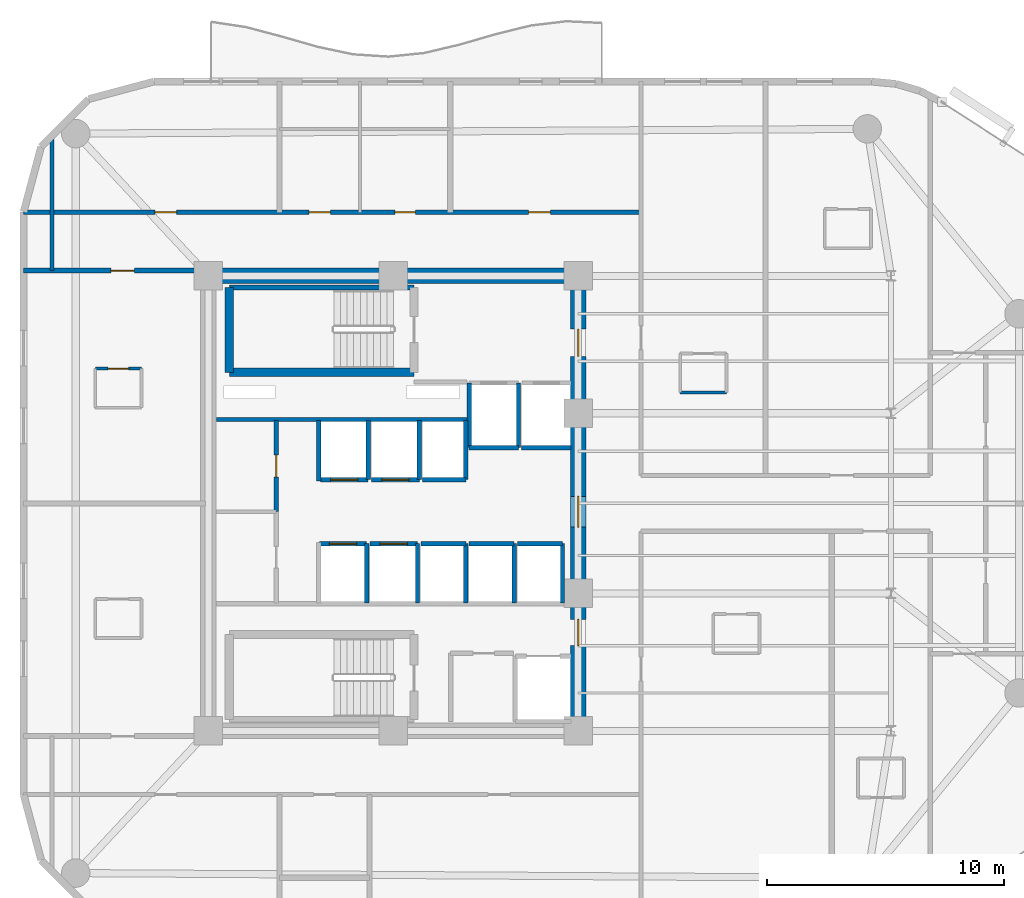
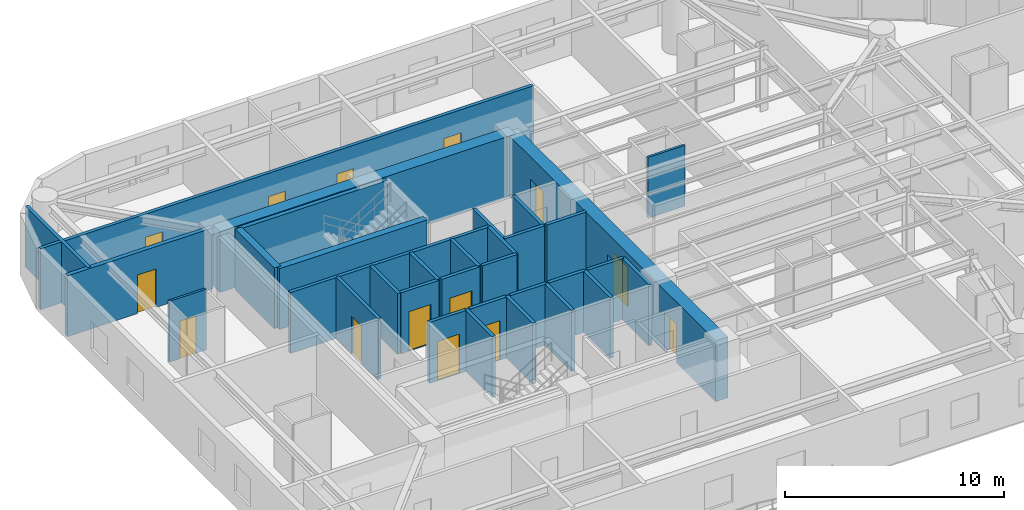
# One storey, part 12 of 16: 33 walls, 14 doors, 14 openings.
"""IFC4 building model written with IfcOpenShell, lengths in metres."""

from ifc_helpers import new_model, si_unit, direction, frame, frame_2d, origin, place, context, subcontext, project, spatial, rectangle, extrude, material, layer, layer_set, type_object, element, fill, save


model = new_model("IFC4")

# Units and contexts
model_context = context("Model", 3, precision=1e-05, world=origin(), true_north=direction((0.0, 1.0)))
body_context = subcontext(model_context, "Body", "Model", "MODEL_VIEW")
ifc_project = project(units=[si_unit("LENGTHUNIT", "METRE"), si_unit("AREAUNIT", "SQUARE_METRE"), si_unit("VOLUMEUNIT", "CUBIC_METRE"), si_unit("PLANEANGLEUNIT", "RADIAN"), si_unit("MASSUNIT", "GRAM", prefix="KILO")], contexts=[model_context])

# Site, building, storey
site_placement = place(None, origin())
site = spatial("IfcSite", under=ifc_project, at=site_placement, CompositionType="ELEMENT")
building_placement = place(site_placement, origin())
building = spatial("IfcBuilding", under=site, at=building_placement, Name="An Khanh Terracotta Commons", CompositionType="ELEMENT")
storey_placement = place(building_placement, frame((0.0, 0.0, 151.0)))
storey = spatial("IfcBuildingStorey", under=building, at=storey_placement, Name="L39", CompositionType="ELEMENT", Elevation=151.0)

# Wall
ifc_material_1 = material(Name="Concrete C60/75", Category="concrete")
ifc_layer_1 = layer(ifc_material_1, 0.64990234375, Name="Concrete C60/75")
ifc_layer_set_1 = layer_set([ifc_layer_1], Name="Concrete C60/75")
wall_type_1 = type_object("IfcWallType", Name="WALL-CORE-650", PredefinedType="SHEAR", material=ifc_layer_set_1)
wall_1_placement = place(storey_placement, frame((21.60009765625, 33.60009765625, 0.0), z_axis=(0.0, 0.0, 1.0), x_axis=(1.0, 0.0, 0.0)))
element("IfcWall", 1, at=wall_1_placement, inside=storey, type_object=wall_type_1, Name="L39 Core Wall CWALL-L39-N", PredefinedType="SHEAR", context=body_context, shape_type="SweptSolid", body=[
    extrude(rectangle(XDim=15.599853515625, YDim=0.64990234375, at=frame_2d((7.7998046875, 0.0))), origin(), (0.0, 0.0, 1.0), 3.39990234375),
])

# Wall, openings, doors
wall_2_placement = place(storey_placement, frame((37.199951171875, 14.39990234375, 0.0), z_axis=(0.0, 0.0, 1.0), x_axis=(0.0, 1.0, 0.0)))
wall_2 = element("IfcWall", 2, at=wall_2_placement, inside=storey, type_object=wall_type_1, Name="L39 Core Wall CWALL-L39-E", PredefinedType="SHEAR", context=body_context, shape_type="SweptSolid", body=[
    extrude(rectangle(XDim=19.2001953125, YDim=0.64990234375, at=frame_2d((9.60009765625, 0.0))), origin(), (0.0, 0.0, 1.0), 3.39990234375),
])
opening_1_placement = place(wall_2_placement, frame((15.800048828125, 0.0, 0.0)))
opening_1 = element("IfcOpeningElement", 3, at=opening_1_placement, cuts=wall_2, Name="Opening D-FFL", PredefinedType="OPENING", context=body_context, shape_type="SweptSolid", body=[
    extrude(rectangle(XDim=1.14990234375, YDim=2.14990234375, at=frame_2d((0.574951171875, 1.074951171875))), frame((0.0, 0.3349609375, 0.0), z_axis=(0.0, -1.0, 0.0), x_axis=(1.0, 0.0, 0.0)), (0.0, 0.0, 1.0), 0.669921875),
])
opening_2_placement = place(wall_2_placement, frame((3.60009765625, 0.0, 0.0)))
opening_2 = element("IfcOpeningElement", 4, at=opening_2_placement, cuts=wall_2, Name="Opening D-ST", PredefinedType="OPENING", context=body_context, shape_type="SweptSolid", body=[
    extrude(rectangle(XDim=1.10009765625, YDim=2.14990234375, at=frame_2d((0.550048828125, 1.074951171875))), frame((0.0, 0.3349609375, 0.0), z_axis=(0.0, -1.0, 0.0), x_axis=(1.0, 0.0, 0.0)), (0.0, 0.0, 1.0), 0.669921875),
])
opening_3_placement = place(wall_2_placement, frame((8.60009765625, 0.0, 0.0)))
opening_3 = element("IfcOpeningElement", 5, at=opening_3_placement, cuts=wall_2, Name="Opening D-COR", PredefinedType="OPENING", context=body_context, shape_type="SweptSolid", body=[
    extrude(rectangle(XDim=1.300048828125, YDim=2.199951171875, at=frame_2d((0.64990234375, 1.10009765625))), frame((0.0, 0.3349609375, 0.0), z_axis=(0.0, -1.0, 0.0), x_axis=(1.0, 0.0, 0.0)), (0.0, 0.0, 1.0), 0.669921875),
])
ifc_material_2 = material(Name="Fire-Rated Glazed Steel Double Door", Category="steel")
door_type_1 = type_object("IfcDoorType", Name="DOOR-CORR-1300", OperationType="NOTDEFINED", PredefinedType="DOOR", material=ifc_material_2)
door_1_placement = place(opening_3_placement, origin())
door_1 = element("IfcDoor", 6, at=door_1_placement, inside=storey, type_object=door_type_1, Name="L39 Passenger Lift Lobby Double Door", OperationType="DOUBLE_DOOR_SINGLE_SWING", OverallHeight=2.199951171875, OverallWidth=1.300048828125, PredefinedType="DOOR", context=body_context, shape_type="SweptSolid", body=[
    extrude(rectangle(XDim=1.300048828125, YDim=2.199951171875, at=frame_2d((0.64990234375, 1.10009765625))), frame((0.0, 0.02490234375, 0.0), z_axis=(0.0, -1.0, 0.0), x_axis=(1.0, 0.0, 0.0)), (0.0, 0.0, 1.0), 0.050048828125),
])
fill(opening_3, door_1)
ifc_material_3 = material(Name="Fire-Rated Steel Leaf and Vision Panel", Category="steel")
door_type_2 = type_object("IfcDoorType", Name="DOOR-FFL-1150", OperationType="NOTDEFINED", PredefinedType="DOOR", material=ifc_material_3)
door_2_placement = place(opening_1_placement, origin())
door_2 = element("IfcDoor", 7, at=door_2_placement, inside=storey, type_object=door_type_2, Name="L39 Firefighting Lift Lobby Fire Door", OperationType="SINGLE_SWING_LEFT", OverallHeight=2.14990234375, OverallWidth=1.14990234375, PredefinedType="DOOR", context=body_context, shape_type="SweptSolid", body=[
    extrude(rectangle(XDim=1.14990234375, YDim=2.14990234375, at=frame_2d((0.574951171875, 1.074951171875))), frame((0.0, 0.02490234375, 0.0), z_axis=(0.0, -1.0, 0.0), x_axis=(1.0, 0.0, 0.0)), (0.0, 0.0, 1.0), 0.050048828125),
])
fill(opening_1, door_2)
ifc_material_4 = material(Name="Fire-Rated Steel Leaf and Frame", Category="steel")
door_type_3 = type_object("IfcDoorType", Name="DOOR-STAIR-1100", OperationType="NOTDEFINED", PredefinedType="DOOR", material=ifc_material_4)
door_3_placement = place(opening_2_placement, origin())
door_3 = element("IfcDoor", 8, at=door_3_placement, inside=storey, type_object=door_type_3, Name="L39 South Stair Lobby Fire Door", OperationType="SINGLE_SWING_RIGHT", OverallHeight=2.14990234375, OverallWidth=1.10009765625, PredefinedType="DOOR", context=body_context, shape_type="SweptSolid", body=[
    extrude(rectangle(XDim=1.10009765625, YDim=2.14990234375, at=frame_2d((0.550048828125, 1.074951171875))), frame((0.0, 0.02490234375, 0.0), z_axis=(0.0, -1.0, 0.0), x_axis=(1.0, 0.0, 0.0)), (0.0, 0.0, 1.0), 0.050048828125),
])
fill(opening_2, door_3)

# Walls
ifc_material_5 = material(Name="Fire-Rated Gypsum Board on Steel Stud", Category="steel")
ifc_layer_2 = layer(ifc_material_5, 0.179931640625, Name="Fire-Rated Gypsum Board on Steel Stud")
ifc_layer_set_2 = layer_set([ifc_layer_2], Name="Fire-Rated Gypsum Board on Steel Stud")
wall_type_2 = type_object("IfcWallType", Name="WALL-CORR-180", PredefinedType="PARTITIONING", material=ifc_layer_set_2)
wall_3_placement = place(storey_placement, frame((21.949951171875, 27.5400390625, 0.0), z_axis=(0.0, 0.0, 1.0), x_axis=(1.0, 0.0, 0.0)))
element("IfcWall", 9, at=wall_3_placement, inside=storey, type_object=wall_type_2, Name="L39 Core Wall RSRW-L39-S", PredefinedType="PARTITIONING", context=body_context, shape_type="SweptSolid", body=[
    extrude(rectangle(XDim=10.56005859375, YDim=0.179931640625, at=frame_2d((5.280029296875, 0.0))), origin(), (0.0, 0.0, 1.0), 3.39990234375),
])
wall_4_placement = place(storey_placement, frame((34.679931640625, 26.35009765625, 0.0), z_axis=(0.0, 0.0, 1.0), x_axis=(-1.0, 0.0, 0.0)))
element("IfcWall", 10, at=wall_4_placement, inside=storey, type_object=wall_type_2, Name="L39 Core Wall LSH-L39-FFL-01-S", PredefinedType="PARTITIONING", context=body_context, shape_type="SweptSolid", body=[
    extrude(rectangle(XDim=2.079833984375, YDim=0.179931640625, at=frame_2d((1.0400390625, 0.0))), origin(), (0.0, 0.0, 1.0), 3.39990234375),
])
for number, where, z_axis, x_axis, name in (
    (11, (34.679931640625, 26.35009765625, 0.0), (0.0, 0.0, 1.0), (0.0, 1.0, 0.0), "L39 Core Wall LSH-L39-FFL-01-E"),
    (12, (32.60009765625, 29.080078125, 0.0), (0.0, 0.0, 1.0), (0.0, -1.0, 0.0), "L39 Core Wall LSH-L39-FFL-01-W"),
):
    element("IfcWall", number, at=place(storey_placement, frame(where, z_axis=z_axis, x_axis=x_axis)), inside=storey, type_object=wall_type_2, Name=name, PredefinedType="PARTITIONING", context=body_context, shape_type="SweptSolid", body=[
        extrude(rectangle(XDim=2.72998046875, YDim=0.179931640625, at=frame_2d((1.364990234375, 0.0))), origin(), (0.0, 0.0, 1.0), 3.39990234375),
    ])
wall_5_placement = place(storey_placement, frame((36.89990234375, 26.35009765625, 0.0), z_axis=(0.0, 0.0, 1.0), x_axis=(-1.0, 0.0, 0.0)))
element("IfcWall", 13, at=wall_5_placement, inside=storey, type_object=wall_type_2, Name="L39 Core Wall LSH-L39-FFL-02-S", PredefinedType="PARTITIONING", context=body_context, shape_type="SweptSolid", body=[
    extrude(rectangle(XDim=2.079833984375, YDim=0.179931640625, at=frame_2d((1.0400390625, 0.0))), origin(), (0.0, 0.0, 1.0), 3.39990234375),
])

# Wall, opening, door
wall_6_placement = place(storey_placement, frame((28.340087890625, 25.0, 0.0), z_axis=(0.0, 0.0, 1.0), x_axis=(-1.0, 0.0, 0.0)))
wall_6 = element("IfcWall", 14, at=wall_6_placement, inside=storey, type_object=wall_type_2, Name="L39 Core Wall LSH-L39-PL-M1-S", PredefinedType="PARTITIONING", context=body_context, shape_type="SweptSolid", body=[
    extrude(rectangle(XDim=2.02001953125, YDim=0.179931640625, at=frame_2d((1.010009765625, 0.0))), origin(), (0.0, 0.0, 1.0), 3.39990234375),
])
opening_4_placement = place(wall_6_placement, frame((0.43505859375, 0.0, 0.0)))
opening_4 = element("IfcOpeningElement", 15, at=opening_4_placement, cuts=wall_6, Name="Opening LD-PL-M1-L39", PredefinedType="OPENING", context=body_context, shape_type="SweptSolid", body=[
    extrude(rectangle(XDim=1.14990234375, YDim=2.199951171875, at=frame_2d((0.574951171875, 1.10009765625))), frame((0.0, 0.099853515625, 0.0), z_axis=(0.0, -1.0, 0.0), x_axis=(1.0, 0.0, 0.0)), (0.0, 0.0, 1.0), 0.199951171875),
])
ifc_material_6 = material(Name="Brushed Stainless Steel Passenger Landing Door", Category="steel")
door_type_4 = type_object("IfcDoorType", Name="DOOR-LD-PAX-1150", OperationType="NOTDEFINED", PredefinedType="DOOR", material=ifc_material_6)
door_4_placement = place(opening_4_placement, origin())
door_4 = element("IfcDoor", 16, at=door_4_placement, inside=storey, type_object=door_type_4, Name="L39 Lift PL-M1 Sliding Landing Door", OperationType="DOUBLE_DOOR_SLIDING", OverallHeight=2.199951171875, OverallWidth=1.14990234375, PredefinedType="DOOR", context=body_context, shape_type="SweptSolid", body=[
    extrude(rectangle(XDim=1.14990234375, YDim=2.199951171875, at=frame_2d((0.574951171875, 1.10009765625))), frame((0.0, 0.02490234375, 0.0), z_axis=(0.0, -1.0, 0.0), x_axis=(1.0, 0.0, 0.0)), (0.0, 0.0, 1.0), 0.050048828125),
])
fill(opening_4, door_4)

# Wall
wall_7_placement = place(storey_placement, frame((28.340087890625, 25.0, 0.0), z_axis=(0.0, 0.0, 1.0), x_axis=(0.0, 1.0, 0.0)))
element("IfcWall", 17, at=wall_7_placement, inside=storey, type_object=wall_type_2, Name="L39 Core Wall LSH-L39-PL-M1-E", PredefinedType="PARTITIONING", context=body_context, shape_type="SweptSolid", body=[
    extrude(rectangle(XDim=2.5, YDim=0.179931640625, at=frame_2d((1.25, 0.0))), origin(), (0.0, 0.0, 1.0), 3.39990234375),
])

# Wall, opening, door
wall_8_placement = place(storey_placement, frame((30.5, 25.0, 0.0), z_axis=(0.0, 0.0, 1.0), x_axis=(-1.0, 0.0, 0.0)))
wall_8 = element("IfcWall", 18, at=wall_8_placement, inside=storey, type_object=wall_type_2, Name="L39 Core Wall LSH-L39-PL-M2-S", PredefinedType="PARTITIONING", context=body_context, shape_type="SweptSolid", body=[
    extrude(rectangle(XDim=2.02001953125, YDim=0.179931640625, at=frame_2d((1.010009765625, 0.0))), origin(), (0.0, 0.0, 1.0), 3.39990234375),
])
opening_5_placement = place(wall_8_placement, frame((0.43505859375, 0.0, 0.0)))
opening_5 = element("IfcOpeningElement", 19, at=opening_5_placement, cuts=wall_8, Name="Opening LD-PL-M2-L39", PredefinedType="OPENING", context=body_context, shape_type="SweptSolid", body=[
    extrude(rectangle(XDim=1.14990234375, YDim=2.199951171875, at=frame_2d((0.574951171875, 1.10009765625))), frame((0.0, 0.099853515625, 0.0), z_axis=(0.0, -1.0, 0.0), x_axis=(1.0, 0.0, 0.0)), (0.0, 0.0, 1.0), 0.199951171875),
])
door_5_placement = place(opening_5_placement, origin())
door_5 = element("IfcDoor", 20, at=door_5_placement, inside=storey, type_object=door_type_4, Name="L39 Lift PL-M2 Sliding Landing Door", OperationType="DOUBLE_DOOR_SLIDING", OverallHeight=2.199951171875, OverallWidth=1.14990234375, PredefinedType="DOOR", context=body_context, shape_type="SweptSolid", body=[
    extrude(rectangle(XDim=1.14990234375, YDim=2.199951171875, at=frame_2d((0.574951171875, 1.10009765625))), frame((0.0, 0.02490234375, 0.0), z_axis=(0.0, -1.0, 0.0), x_axis=(1.0, 0.0, 0.0)), (0.0, 0.0, 1.0), 0.050048828125),
])
fill(opening_5, door_5)

# Wall
wall_9_placement = place(storey_placement, frame((30.5, 25.0, 0.0), z_axis=(0.0, 0.0, 1.0), x_axis=(0.0, 1.0, 0.0)))
element("IfcWall", 21, at=wall_9_placement, inside=storey, type_object=wall_type_2, Name="L39 Core Wall LSH-L39-PL-M2-E", PredefinedType="PARTITIONING", context=body_context, shape_type="SweptSolid", body=[
    extrude(rectangle(XDim=2.5, YDim=0.179931640625, at=frame_2d((1.25, 0.0))), origin(), (0.0, 0.0, 1.0), 3.39990234375),
])

# Wall, opening, door
wall_10_placement = place(storey_placement, frame((26.280029296875, 22.300048828125, 0.0), z_axis=(0.0, 0.0, 1.0), x_axis=(1.0, 0.0, 0.0)))
wall_10 = element("IfcWall", 22, at=wall_10_placement, inside=storey, type_object=wall_type_2, Name="L39 Core Wall LSH-L39-PL-M3-N", PredefinedType="PARTITIONING", context=body_context, shape_type="SweptSolid", body=[
    extrude(rectangle(XDim=2.0, YDim=0.179931640625, at=frame_2d((1.0, 0.0))), origin(), (0.0, 0.0, 1.0), 3.39990234375),
])
opening_6_placement = place(wall_10_placement, frame((0.425048828125, 0.0, 0.0)))
opening_6 = element("IfcOpeningElement", 23, at=opening_6_placement, cuts=wall_10, Name="Opening LD-PL-M3-L39", PredefinedType="OPENING", context=body_context, shape_type="SweptSolid", body=[
    extrude(rectangle(XDim=1.14990234375, YDim=2.199951171875, at=frame_2d((0.574951171875, 1.10009765625))), frame((0.0, 0.099853515625, 0.0), z_axis=(0.0, -1.0, 0.0), x_axis=(1.0, 0.0, 0.0)), (0.0, 0.0, 1.0), 0.199951171875),
])
door_6_placement = place(opening_6_placement, origin())
door_6 = element("IfcDoor", 24, at=door_6_placement, inside=storey, type_object=door_type_4, Name="L39 Lift PL-M3 Sliding Landing Door", OperationType="DOUBLE_DOOR_SLIDING", OverallHeight=2.199951171875, OverallWidth=1.14990234375, PredefinedType="DOOR", context=body_context, shape_type="SweptSolid", body=[
    extrude(rectangle(XDim=1.14990234375, YDim=2.199951171875, at=frame_2d((0.574951171875, 1.10009765625))), frame((0.0, 0.02490234375, 0.0), z_axis=(0.0, -1.0, 0.0), x_axis=(1.0, 0.0, 0.0)), (0.0, 0.0, 1.0), 0.050048828125),
])
fill(opening_6, door_6)

# Wall
wall_11_placement = place(storey_placement, frame((28.280029296875, 19.800048828125, 0.0), z_axis=(0.0, 0.0, 1.0), x_axis=(0.0, 1.0, 0.0)))
element("IfcWall", 25, at=wall_11_placement, inside=storey, type_object=wall_type_2, Name="L39 Core Wall LSH-L39-PL-M3-E", PredefinedType="PARTITIONING", context=body_context, shape_type="SweptSolid", body=[
    extrude(rectangle(XDim=2.5, YDim=0.179931640625, at=frame_2d((1.25, 0.0))), origin(), (0.0, 0.0, 1.0), 3.39990234375),
])

# Wall, opening, door
wall_12_placement = place(storey_placement, frame((28.419921875, 22.300048828125, 0.0), z_axis=(0.0, 0.0, 1.0), x_axis=(1.0, 0.0, 0.0)))
wall_12 = element("IfcWall", 26, at=wall_12_placement, inside=storey, type_object=wall_type_2, Name="L39 Core Wall LSH-L39-PL-M4-N", PredefinedType="PARTITIONING", context=body_context, shape_type="SweptSolid", body=[
    extrude(rectangle(XDim=2.0, YDim=0.179931640625, at=frame_2d((1.0, 0.0))), origin(), (0.0, 0.0, 1.0), 3.39990234375),
])
opening_7_placement = place(wall_12_placement, frame((0.425048828125, 0.0, 0.0)))
opening_7 = element("IfcOpeningElement", 27, at=opening_7_placement, cuts=wall_12, Name="Opening LD-PL-M4-L39", PredefinedType="OPENING", context=body_context, shape_type="SweptSolid", body=[
    extrude(rectangle(XDim=1.14990234375, YDim=2.199951171875, at=frame_2d((0.574951171875, 1.10009765625))), frame((0.0, 0.099853515625, 0.0), z_axis=(0.0, -1.0, 0.0), x_axis=(1.0, 0.0, 0.0)), (0.0, 0.0, 1.0), 0.199951171875),
])
door_7_placement = place(opening_7_placement, origin())
door_7 = element("IfcDoor", 28, at=door_7_placement, inside=storey, type_object=door_type_4, Name="L39 Lift PL-M4 Sliding Landing Door", OperationType="DOUBLE_DOOR_SLIDING", OverallHeight=2.199951171875, OverallWidth=1.14990234375, PredefinedType="DOOR", context=body_context, shape_type="SweptSolid", body=[
    extrude(rectangle(XDim=1.14990234375, YDim=2.199951171875, at=frame_2d((0.574951171875, 1.10009765625))), frame((0.0, 0.02490234375, 0.0), z_axis=(0.0, -1.0, 0.0), x_axis=(1.0, 0.0, 0.0)), (0.0, 0.0, 1.0), 0.050048828125),
])
fill(opening_7, door_7)

# Walls
wall_13_placement = place(storey_placement, frame((30.419921875, 19.800048828125, 0.0), z_axis=(0.0, 0.0, 1.0), x_axis=(0.0, 1.0, 0.0)))
element("IfcWall", 29, at=wall_13_placement, inside=storey, type_object=wall_type_2, Name="L39 Core Wall LSH-L39-PL-M4-E", PredefinedType="PARTITIONING", context=body_context, shape_type="SweptSolid", body=[
    extrude(rectangle(XDim=2.5, YDim=0.179931640625, at=frame_2d((1.25, 0.0))), origin(), (0.0, 0.0, 1.0), 3.39990234375),
])
wall_14_placement = place(storey_placement, frame((32.4599609375, 25.0, 0.0), z_axis=(0.0, 0.0, 1.0), x_axis=(-1.0, 0.0, 0.0)))
element("IfcWall", 30, at=wall_14_placement, inside=storey, type_object=wall_type_2, Name="L39 Core Wall LSH-L39-PL-H1-S", PredefinedType="PARTITIONING", context=body_context, shape_type="SweptSolid", body=[
    extrude(rectangle(XDim=1.820068359375, YDim=0.179931640625, at=frame_2d((0.91015625, 0.0))), origin(), (0.0, 0.0, 1.0), 3.39990234375),
])
wall_15_placement = place(storey_placement, frame((32.4599609375, 25.0, 0.0), z_axis=(0.0, 0.0, 1.0), x_axis=(0.0, 1.0, 0.0)))
element("IfcWall", 31, at=wall_15_placement, inside=storey, type_object=wall_type_2, Name="L39 Core Wall LSH-L39-PL-H1-E", PredefinedType="PARTITIONING", context=body_context, shape_type="SweptSolid", body=[
    extrude(rectangle(XDim=2.5, YDim=0.179931640625, at=frame_2d((1.25, 0.0))), origin(), (0.0, 0.0, 1.0), 3.39990234375),
])
wall_16_placement = place(storey_placement, frame((30.56005859375, 22.300048828125, 0.0), z_axis=(0.0, 0.0, 1.0), x_axis=(1.0, 0.0, 0.0)))
element("IfcWall", 32, at=wall_16_placement, inside=storey, type_object=wall_type_2, Name="L39 Core Wall LSH-L39-PL-H2-N", PredefinedType="PARTITIONING", context=body_context, shape_type="SweptSolid", body=[
    extrude(rectangle(XDim=1.89990234375, YDim=0.179931640625, at=frame_2d((0.949951171875, 0.0))), origin(), (0.0, 0.0, 1.0), 3.39990234375),
])
wall_17_placement = place(storey_placement, frame((32.4599609375, 19.800048828125, 0.0), z_axis=(0.0, 0.0, 1.0), x_axis=(0.0, 1.0, 0.0)))
element("IfcWall", 33, at=wall_17_placement, inside=storey, type_object=wall_type_2, Name="L39 Core Wall LSH-L39-PL-H2-E", PredefinedType="PARTITIONING", context=body_context, shape_type="SweptSolid", body=[
    extrude(rectangle(XDim=2.5, YDim=0.179931640625, at=frame_2d((1.25, 0.0))), origin(), (0.0, 0.0, 1.0), 3.39990234375),
])
wall_18_placement = place(storey_placement, frame((32.60009765625, 22.300048828125, 0.0), z_axis=(0.0, 0.0, 1.0), x_axis=(1.0, 0.0, 0.0)))
element("IfcWall", 34, at=wall_18_placement, inside=storey, type_object=wall_type_2, Name="L39 Core Wall LSH-L39-PL-H3-N", PredefinedType="PARTITIONING", context=body_context, shape_type="SweptSolid", body=[
    extrude(rectangle(XDim=1.89990234375, YDim=0.179931640625, at=frame_2d((0.949951171875, 0.0))), origin(), (0.0, 0.0, 1.0), 3.39990234375),
])
wall_19_placement = place(storey_placement, frame((34.5, 19.800048828125, 0.0), z_axis=(0.0, 0.0, 1.0), x_axis=(0.0, 1.0, 0.0)))
element("IfcWall", 35, at=wall_19_placement, inside=storey, type_object=wall_type_2, Name="L39 Core Wall LSH-L39-PL-H3-E", PredefinedType="PARTITIONING", context=body_context, shape_type="SweptSolid", body=[
    extrude(rectangle(XDim=2.5, YDim=0.179931640625, at=frame_2d((1.25, 0.0))), origin(), (0.0, 0.0, 1.0), 3.39990234375),
])
wall_20_placement = place(storey_placement, frame((34.639892578125, 22.300048828125, 0.0), z_axis=(0.0, 0.0, 1.0), x_axis=(1.0, 0.0, 0.0)))
element("IfcWall", 36, at=wall_20_placement, inside=storey, type_object=wall_type_2, Name="L39 Core Wall LSH-L39-PL-H4-N", PredefinedType="PARTITIONING", context=body_context, shape_type="SweptSolid", body=[
    extrude(rectangle(XDim=1.900146484375, YDim=0.179931640625, at=frame_2d((0.9501953125, 0.0))), origin(), (0.0, 0.0, 1.0), 3.39990234375),
])
wall_21_placement = place(storey_placement, frame((36.5400390625, 19.800048828125, 0.0), z_axis=(0.0, 0.0, 1.0), x_axis=(0.0, 1.0, 0.0)))
element("IfcWall", 37, at=wall_21_placement, inside=storey, type_object=wall_type_2, Name="L39 Core Wall LSH-L39-PL-H4-E", PredefinedType="PARTITIONING", context=body_context, shape_type="SweptSolid", body=[
    extrude(rectangle(XDim=2.5, YDim=0.179931640625, at=frame_2d((1.25, 0.0))), origin(), (0.0, 0.0, 1.0), 3.39990234375),
])

# Wall, opening, door
wall_22_placement = place(storey_placement, frame((24.4599609375, 23.64990234375, 0.0), z_axis=(0.0, 0.0, 1.0), x_axis=(0.0, 1.0, 0.0)))
wall_22 = element("IfcWall", 38, at=wall_22_placement, inside=storey, type_object=wall_type_2, Name="L39 Core Wall RECW-L39-E1", PredefinedType="PARTITIONING", context=body_context, shape_type="SweptSolid", body=[
    extrude(rectangle(XDim=3.85009765625, YDim=0.179931640625, at=frame_2d((1.925048828125, 0.0))), origin(), (0.0, 0.0, 1.0), 3.39990234375),
])
opening_8_placement = place(wall_22_placement, frame((1.465087890625, 0.0, 0.0)))
opening_8 = element("IfcOpeningElement", 39, at=opening_8_placement, cuts=wall_22, Name="Opening D-RM", PredefinedType="OPENING", context=body_context, shape_type="SweptSolid", body=[
    extrude(rectangle(XDim=0.919921875, YDim=2.10009765625, at=frame_2d((0.4599609375, 1.050048828125))), frame((0.0, 0.099853515625, 0.0), z_axis=(0.0, -1.0, 0.0), x_axis=(1.0, 0.0, 0.0)), (0.0, 0.0, 1.0), 0.199951171875),
])
ifc_material_7 = material(Name="Engineered Hardwood Timber Leaf", Category="wood")
door_type_5 = type_object("IfcDoorType", Name="DOOR-INT-920", OperationType="NOTDEFINED", PredefinedType="DOOR", material=ifc_material_7)
door_8_placement = place(opening_8_placement, origin())
door_8 = element("IfcDoor", 40, at=door_8_placement, inside=storey, type_object=door_type_5, Name="L39 Communal Laundry Room Door", OperationType="SINGLE_SWING_RIGHT", OverallHeight=2.10009765625, OverallWidth=0.919921875, PredefinedType="DOOR", context=body_context, shape_type="SweptSolid", body=[
    extrude(rectangle(XDim=0.919921875, YDim=2.10009765625, at=frame_2d((0.4599609375, 1.050048828125))), frame((0.0, 0.02490234375, 0.0), z_axis=(0.0, -1.0, 0.0), x_axis=(1.0, 0.0, 0.0)), (0.0, 0.0, 1.0), 0.050048828125),
])
fill(opening_8, door_8)

# Wall
wall_23_placement = place(storey_placement, frame((26.25, 24.949951171875, 0.0), z_axis=(0.0, 0.0, 1.0), x_axis=(0.0, 1.0, 0.0)))
element("IfcWall", 41, at=wall_23_placement, inside=storey, type_object=wall_type_2, Name="L39 Core Wall RECW-L39-BE1", PredefinedType="PARTITIONING", context=body_context, shape_type="SweptSolid", body=[
    extrude(rectangle(XDim=2.550048828125, YDim=0.179931640625, at=frame_2d((1.27490234375, 0.0))), origin(), (0.0, 0.0, 1.0), 3.39990234375),
])

# Wall, openings, doors
wall_24_placement = place(storey_placement, frame((13.800048828125, 36.280029296875, 0.0), z_axis=(0.0, 0.0, 1.0), x_axis=(1.0, 0.0, 0.0)))
wall_24 = element("IfcWall", 42, at=wall_24_placement, inside=storey, type_object=wall_type_2, Name="L39 Interior Partition IW-L39-E011", PredefinedType="PARTITIONING", context=body_context, shape_type="SweptSolid", body=[
    extrude(rectangle(XDim=26.050048828125, YDim=0.179931640625, at=frame_2d((13.02490234375, 0.0))), origin(), (0.0, 0.0, 1.0), 3.39990234375),
])
opening_9_placement = place(wall_24_placement, frame((12.050048828125, 0.0, 0.0)))
opening_9 = element("IfcOpeningElement", 43, at=opening_9_placement, cuts=wall_24, Name="Opening D-WC", PredefinedType="OPENING", context=body_context, shape_type="SweptSolid", body=[
    extrude(rectangle(XDim=0.89990234375, YDim=2.10009765625, at=frame_2d((0.449951171875, 1.050048828125))), frame((0.0, 0.099853515625, 0.0), z_axis=(0.0, -1.0, 0.0), x_axis=(1.0, 0.0, 0.0)), (0.0, 0.0, 1.0), 0.199951171875),
])
opening_10_placement = place(wall_24_placement, frame((15.669921875, 0.0, 0.0)))
opening_10 = element("IfcOpeningElement", 44, at=opening_10_placement, cuts=wall_24, Name="Opening D-ENS", PredefinedType="OPENING", context=body_context, shape_type="SweptSolid", body=[
    extrude(rectangle(XDim=0.860107421875, YDim=2.10009765625, at=frame_2d((0.43017578125, 1.050048828125))), frame((0.0, 0.099853515625, 0.0), z_axis=(0.0, -1.0, 0.0), x_axis=(1.0, 0.0, 0.0)), (0.0, 0.0, 1.0), 0.199951171875),
])
opening_11_placement = place(wall_24_placement, frame((5.5400390625, 0.0, 0.0)))
opening_11 = element("IfcOpeningElement", 45, at=opening_11_placement, cuts=wall_24, Name="Opening D-RM", PredefinedType="OPENING", context=body_context, shape_type="SweptSolid", body=[
    extrude(rectangle(XDim=0.919921875, YDim=2.10009765625, at=frame_2d((0.4599609375, 1.050048828125))), frame((0.0, 0.099853515625, 0.0), z_axis=(0.0, -1.0, 0.0), x_axis=(1.0, 0.0, 0.0)), (0.0, 0.0, 1.0), 0.199951171875),
])
opening_12_placement = place(wall_24_placement, frame((21.304931640625, 0.0, 0.0)))
opening_12 = element("IfcOpeningElement", 46, at=opening_12_placement, cuts=wall_24, Name="Opening D-RM", PredefinedType="OPENING", context=body_context, shape_type="SweptSolid", body=[
    extrude(rectangle(XDim=0.919921875, YDim=2.10009765625, at=frame_2d((0.4599609375, 1.050048828125))), frame((0.0, 0.099853515625, 0.0), z_axis=(0.0, -1.0, 0.0), x_axis=(1.0, 0.0, 0.0)), (0.0, 0.0, 1.0), 0.199951171875),
])
ifc_material_8 = material(Name="Moisture-Resistant Hardwood Timber Leaf", Category="wood")
door_type_6 = type_object("IfcDoorType", Name="DOOR-BATH-860", OperationType="NOTDEFINED", PredefinedType="DOOR", material=ifc_material_8)
door_9_placement = place(opening_10_placement, origin())
door_9 = element("IfcDoor", 47, at=door_9_placement, inside=storey, type_object=door_type_6, Name="L39 SHW Resident Shared Shower and Washroom Door", OperationType="SINGLE_SWING_RIGHT", OverallHeight=2.10009765625, OverallWidth=0.860107421875, PredefinedType="DOOR", context=body_context, shape_type="SweptSolid", body=[
    extrude(rectangle(XDim=0.860107421875, YDim=2.10009765625, at=frame_2d((0.43017578125, 1.050048828125))), frame((0.0, 0.02490234375, 0.0), z_axis=(0.0, -1.0, 0.0), x_axis=(1.0, 0.0, 0.0)), (0.0, 0.0, 1.0), 0.050048828125),
])
fill(opening_10, door_9)
door_10_placement = place(opening_11_placement, origin())
door_10 = element("IfcDoor", 48, at=door_10_placement, inside=storey, type_object=door_type_5, Name="L39 NW1 Co-Living Master Bedroom Door", OperationType="SINGLE_SWING_RIGHT", OverallHeight=2.10009765625, OverallWidth=0.919921875, PredefinedType="DOOR", context=body_context, shape_type="SweptSolid", body=[
    extrude(rectangle(XDim=0.919921875, YDim=2.10009765625, at=frame_2d((0.4599609375, 1.050048828125))), frame((0.0, 0.02490234375, 0.0), z_axis=(0.0, -1.0, 0.0), x_axis=(1.0, 0.0, 0.0)), (0.0, 0.0, 1.0), 0.050048828125),
])
fill(opening_11, door_10)
door_11_placement = place(opening_12_placement, origin())
door_11 = element("IfcDoor", 49, at=door_11_placement, inside=storey, type_object=door_type_5, Name="L39 NWE Co-Living Master Bedroom Door", OperationType="SINGLE_SWING_LEFT", OverallHeight=2.10009765625, OverallWidth=0.919921875, PredefinedType="DOOR", context=body_context, shape_type="SweptSolid", body=[
    extrude(rectangle(XDim=0.919921875, YDim=2.10009765625, at=frame_2d((0.4599609375, 1.050048828125))), frame((0.0, 0.02490234375, 0.0), z_axis=(0.0, -1.0, 0.0), x_axis=(1.0, 0.0, 0.0)), (0.0, 0.0, 1.0), 0.050048828125),
])
fill(opening_12, door_11)
ifc_material_9 = material(Name="Laminate Moisture-Resistant Timber Leaf", Category="wood")
door_type_7 = type_object("IfcDoorType", Name="DOOR-WC-900", OperationType="NOTDEFINED", PredefinedType="DOOR", material=ifc_material_9)
door_12_placement = place(opening_9_placement, origin())
door_12 = element("IfcDoor", 50, at=door_12_placement, inside=storey, type_object=door_type_7, Name="L39 AWC Accessible WC Door", OperationType="SINGLE_SWING_LEFT", OverallHeight=2.10009765625, OverallWidth=0.89990234375, PredefinedType="DOOR", context=body_context, shape_type="SweptSolid", body=[
    extrude(rectangle(XDim=0.89990234375, YDim=2.10009765625, at=frame_2d((0.449951171875, 1.050048828125))), frame((0.0, 0.02490234375, 0.0), z_axis=(0.0, -1.0, 0.0), x_axis=(1.0, 0.0, 0.0)), (0.0, 0.0, 1.0), 0.050048828125),
])
fill(opening_9, door_12)

# Walls
wall_25_placement = place(storey_placement, frame((15.0, 33.820068359375, 0.0), z_axis=(0.0, 0.0, 1.0), x_axis=(0.0, 1.0, 0.0)))
element("IfcWall", 51, at=wall_25_placement, inside=storey, type_object=wall_type_2, Name="L39 Interior Partition IW-L39-E014", PredefinedType="PARTITIONING", context=body_context, shape_type="SweptSolid", body=[
    extrude(rectangle(XDim=5.69287109375, YDim=0.179931640625, at=frame_2d((2.846435546875, 0.0))), origin(), (0.0, 0.0, 1.0), 3.39990234375),
])
ifc_material_10 = material(Name="Acoustic Double-Stud Gypsum and Mineral Wool")
ifc_layer_3 = layer(ifc_material_10, 0.219970703125, Name="Acoustic Double-Stud Gypsum and Mineral Wool")
ifc_layer_set_3 = layer_set([ifc_layer_3], Name="Acoustic Double-Stud Gypsum and Mineral Wool")
wall_type_3 = type_object("IfcWallType", Name="WALL-PARTY-220", PredefinedType="PARTITIONING", material=ifc_layer_set_3)
wall_26_placement = place(storey_placement, frame((22.47998046875, 33.110107421875, 0.0), z_axis=(0.0, 0.0, 1.0), x_axis=(1.0, 0.0, 0.0)))
element("IfcWall", 52, at=wall_26_placement, inside=storey, type_object=wall_type_3, Name="L39 Core Wall STW-L39-N-N", PredefinedType="PARTITIONING", context=body_context, shape_type="SweptSolid", body=[
    extrude(rectangle(XDim=7.7900390625, YDim=0.219970703125, at=frame_2d((3.89501953125, 0.0))), origin(), (0.0, 0.0, 1.0), 3.39990234375),
])

# Wall, opening, door
wall_27_placement = place(storey_placement, frame((13.800048828125, 33.820068359375, 0.0), z_axis=(0.0, 0.0, 1.0), x_axis=(1.0, 0.0, 0.0)))
wall_27 = element("IfcWall", 53, at=wall_27_placement, inside=storey, type_object=wall_type_3, Name="L39 Interior Partition IW-L39-E010", PredefinedType="PARTITIONING", context=body_context, shape_type="SweptSolid", body=[
    extrude(rectangle(XDim=7.679931640625, YDim=0.219970703125, at=frame_2d((3.83984375, 0.0))), origin(), (0.0, 0.0, 1.0), 3.39990234375),
])
opening_13_placement = place(wall_27_placement, frame((3.679931640625, 0.0, 0.0)))
opening_13 = element("IfcOpeningElement", 54, at=opening_13_placement, cuts=wall_27, Name="Opening D-UN", PredefinedType="OPENING", context=body_context, shape_type="SweptSolid", body=[
    extrude(rectangle(XDim=1.0, YDim=2.14990234375, at=frame_2d((0.5, 1.074951171875))), frame((0.0, 0.119873046875, 0.0), z_axis=(0.0, -1.0, 0.0), x_axis=(1.0, 0.0, 0.0)), (0.0, 0.0, 1.0), 0.239990234375),
])
ifc_material_11 = material(Name="Solid-Core Hardwood Acoustic Fire Door", Category="wood")
door_type_8 = type_object("IfcDoorType", Name="DOOR-UNIT-1000", OperationType="NOTDEFINED", PredefinedType="DOOR", material=ifc_material_11)
door_13_placement = place(opening_13_placement, origin())
door_13 = element("IfcDoor", 55, at=door_13_placement, inside=storey, type_object=door_type_8, Name="L39 WW2 Kitchenette and Studio Apartment Door", OperationType="SINGLE_SWING_LEFT", OverallHeight=2.14990234375, OverallWidth=1.0, PredefinedType="DOOR", context=body_context, shape_type="SweptSolid", body=[
    extrude(rectangle(XDim=1.0, YDim=2.14990234375, at=frame_2d((0.5, 1.074951171875))), frame((0.0, 0.02490234375, 0.0), z_axis=(0.0, -1.0, 0.0), x_axis=(1.0, 0.0, 0.0)), (0.0, 0.0, 1.0), 0.050048828125),
])
fill(opening_13, door_13)

# Walls
ifc_material_12 = material(Name="Concrete C50/60", Category="concrete")
ifc_layer_4 = layer(ifc_material_12, 0.35009765625, Name="Concrete C50/60")
ifc_layer_set_4 = layer_set([ifc_layer_4], Name="Concrete C50/60")
wall_type_4 = type_object("IfcWallType", Name="WALL-SHAFT-350", PredefinedType="SOLIDWALL", material=ifc_layer_set_4)
wall_28_placement = place(storey_placement, frame((22.47998046875, 29.530029296875, 0.0), z_axis=(0.0, 0.0, 1.0), x_axis=(1.0, 0.0, 0.0)))
element("IfcWall", 56, at=wall_28_placement, inside=storey, type_object=wall_type_4, Name="L39 Core Wall STW-L39-N-S", PredefinedType="SOLIDWALL", context=body_context, shape_type="SweptSolid", body=[
    extrude(rectangle(XDim=7.7900390625, YDim=0.35009765625, at=frame_2d((3.89501953125, 0.0))), origin(), (0.0, 0.0, 1.0), 3.39990234375),
])
wall_29_placement = place(storey_placement, frame((22.47998046875, 29.530029296875, 0.0), z_axis=(0.0, 0.0, 1.0), x_axis=(0.0, 1.0, 0.0)))
element("IfcWall", 57, at=wall_29_placement, inside=storey, type_object=wall_type_4, Name="L39 Core Wall STW-L39-N-W", PredefinedType="SOLIDWALL", context=body_context, shape_type="SweptSolid", body=[
    extrude(rectangle(XDim=3.580078125, YDim=0.35009765625, at=frame_2d((1.7900390625, 0.0))), origin(), (0.0, 0.0, 1.0), 3.39990234375),
])
ifc_material_13 = material(Name="Moisture-Resistant Cement Board Partition")
ifc_layer_5 = layer(ifc_material_13, 0.1201171875, Name="Moisture-Resistant Cement Board Partition")
ifc_layer_set_5 = layer_set([ifc_layer_5], Name="Moisture-Resistant Cement Board Partition")
wall_type_5 = type_object("IfcWallType", Name="WALL-WET-120", PredefinedType="PARTITIONING", material=ifc_layer_set_5)
wall_30_placement = place(storey_placement, frame((43.455078125, 28.675048828125, 0.0), z_axis=(0.0, 0.0, 1.0), x_axis=(-1.0, 0.0, 0.0)))
element("IfcWall", 58, at=wall_30_placement, inside=storey, type_object=wall_type_5, Name="L39 Interior Partition IW-L39-NB1-BS", PredefinedType="PARTITIONING", context=body_context, shape_type="SweptSolid", body=[
    extrude(rectangle(XDim=1.9501953125, YDim=0.1201171875, at=frame_2d((0.97509765625, 0.0))), origin(), (0.0, 0.0, 1.0), 3.39990234375),
])

# Wall, opening, door
wall_31_placement = place(storey_placement, frame((16.824951171875, 29.68505859375, 0.0), z_axis=(0.0, 0.0, 1.0), x_axis=(1.0, 0.0, 0.0)))
wall_31 = element("IfcWall", 59, at=wall_31_placement, inside=storey, type_object=wall_type_5, Name="L39 Interior Partition IW-L39-WW2-BN", PredefinedType="PARTITIONING", context=body_context, shape_type="SweptSolid", body=[
    extrude(rectangle(XDim=1.949951171875, YDim=0.1201171875, at=frame_2d((0.97509765625, 0.0))), origin(), (0.0, 0.0, 1.0), 3.39990234375),
])
opening_14_placement = place(wall_31_placement, frame((0.544921875, 0.0, 0.0)))
opening_14 = element("IfcOpeningElement", 60, at=opening_14_placement, cuts=wall_31, Name="Opening D-ENS", PredefinedType="OPENING", context=body_context, shape_type="SweptSolid", body=[
    extrude(rectangle(XDim=0.860107421875, YDim=2.10009765625, at=frame_2d((0.43017578125, 1.050048828125))), frame((0.0, 0.070068359375, 0.0), z_axis=(0.0, -1.0, 0.0), x_axis=(1.0, 0.0, 0.0)), (0.0, 0.0, 1.0), 0.14013671875),
])
door_14_placement = place(opening_14_placement, origin())
door_14 = element("IfcDoor", 61, at=door_14_placement, inside=storey, type_object=door_type_6, Name="L39 Studio WW2 En-suite Door", OperationType="SINGLE_SWING_RIGHT", OverallHeight=2.10009765625, OverallWidth=0.860107421875, PredefinedType="DOOR", context=body_context, shape_type="SweptSolid", body=[
    extrude(rectangle(XDim=0.860107421875, YDim=2.10009765625, at=frame_2d((0.43017578125, 1.050048828125))), frame((0.0, 0.02490234375, 0.0), z_axis=(0.0, -1.0, 0.0), x_axis=(1.0, 0.0, 0.0)), (0.0, 0.0, 1.0), 0.050048828125),
])
fill(opening_14, door_14)

save(model, "model.ifc")
